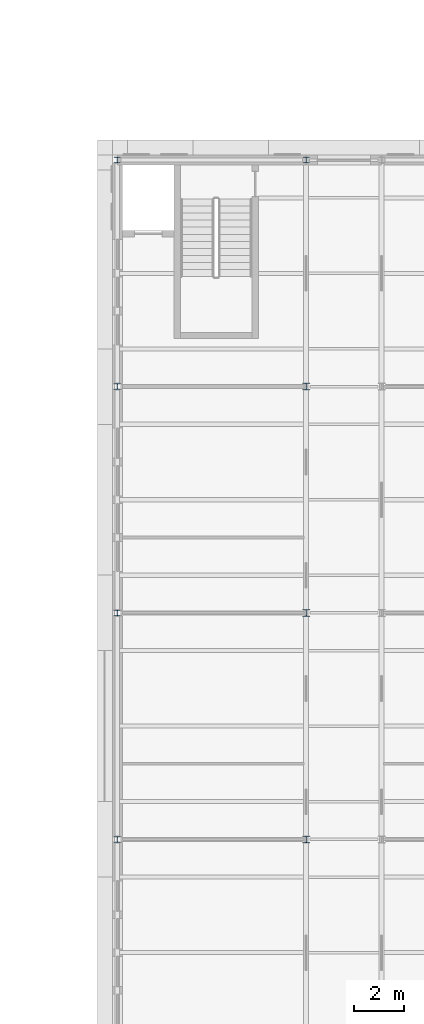
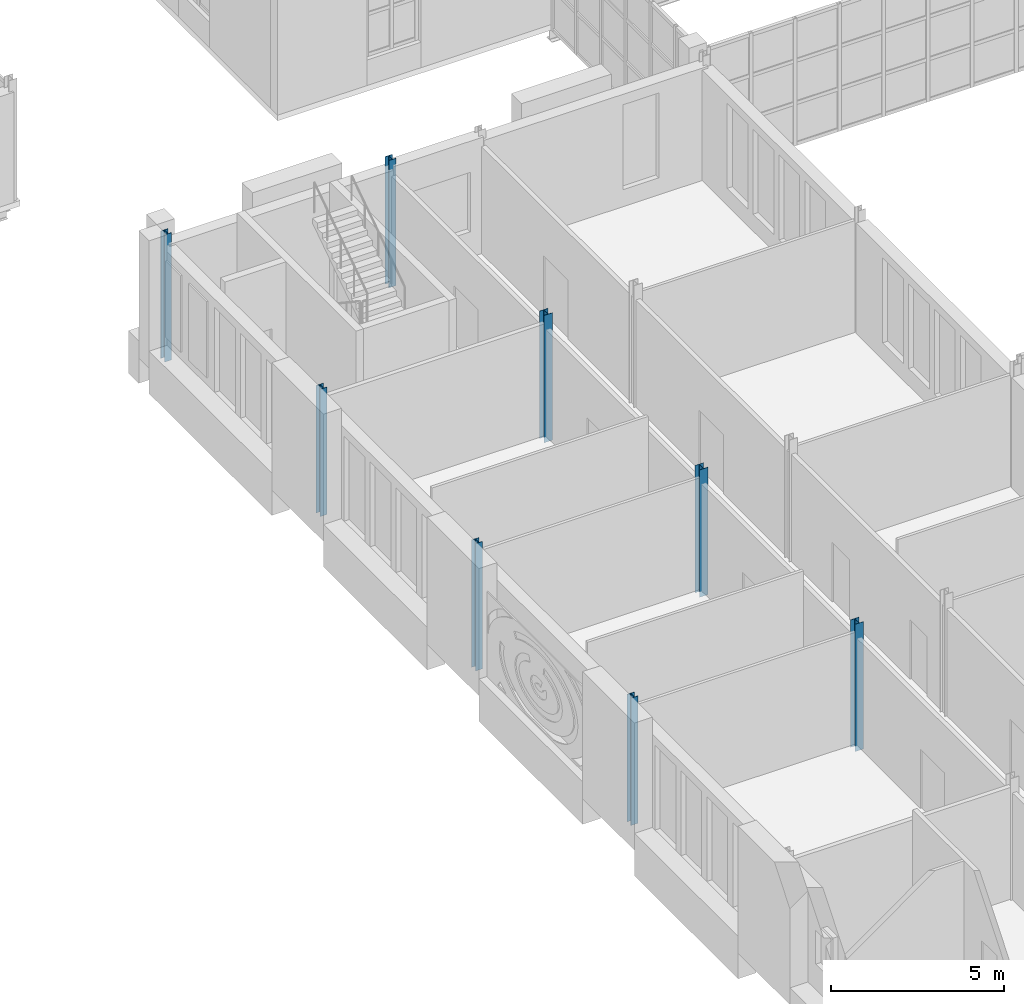
# One storey, part 4 of 131: 8 columns.
"""IFC4 building model written with IfcOpenShell, lengths in metres."""

from ifc_helpers import new_model, si_unit, direction, frame, origin, origin_2d, place, context, subcontext, project, spatial, i_section, extrude, material, material_profile, profile_set, type_object, element, save


model = new_model("IFC4")

# Units and contexts
model_context = context("Model", 3, precision=1e-05, world=origin(), true_north=direction((0.0, 1.0)))
body_context = subcontext(model_context, "Body", "Model", "MODEL_VIEW")
ifc_project = project(units=[si_unit("LENGTHUNIT", "METRE"), si_unit("AREAUNIT", "SQUARE_METRE"), si_unit("VOLUMEUNIT", "CUBIC_METRE"), si_unit("PLANEANGLEUNIT", "RADIAN"), si_unit("MASSUNIT", "GRAM", prefix="KILO")], contexts=[model_context])

# Site, building, storey
site_placement = place(None, origin())
site = spatial("IfcSite", under=ifc_project, at=site_placement, CompositionType="ELEMENT")
building_placement = place(site_placement, origin())
building = spatial("IfcBuilding", under=site, at=building_placement, Name="Golden Quay Civic Hall", CompositionType="ELEMENT")
storey_placement = place(building_placement, frame((0.0, 0.0, 9.89990234375)))
storey = spatial("IfcBuildingStorey", under=building, at=storey_placement, Name="L02", CompositionType="ELEMENT", Elevation=9.89990234375)

# Columns
ifc_material_1 = material(Name="Steel S355", Category="steel")
ifc_material_profile_1 = material_profile(ifc_material_1, i_section(OverallWidth=0.239990234375, OverallDepth=0.22998046875, WebThickness=0.007568359375, FlangeThickness=0.011962890625, FilletRadius=0.02099609375, at=origin_2d()), Name="HEA 240")
ifc_profile_set_1 = profile_set([ifc_material_profile_1], Name="Steel S355")
column_type_1 = type_object("IfcColumnType", Name="Steel column HEA 240", PredefinedType="COLUMN", material=ifc_profile_set_1)
for number, where, z_axis, x_axis, name in (
    (1, (54.0, 27.0, -0.199951171875), (0.0, 0.0, 1.0), (1.0, 0.0, 0.0), "Column 54/27 L02"),
    (2, (54.0, 36.0, -0.199951171875), (0.0, 0.0, 1.0), (1.0, 0.0, 0.0), "Column 54/36 L02"),
    (3, (54.0, 45.0, -0.199951171875), (0.0, 0.0, 1.0), (1.0, 0.0, 0.0), "Column 54/45 L02"),
    (4, (54.0, 54.0, -0.199951171875), (0.0, 0.0, 1.0), (1.0, 0.0, 0.0), "Column 54/54 L02"),
    (5, (61.5, 54.0, -0.199951171875), (0.0, 0.0, 1.0), (1.0, 0.0, 0.0), "Column 61.5/54 L02"),
):
    element("IfcColumn", number, at=place(storey_placement, frame(where, z_axis=z_axis, x_axis=x_axis)), inside=storey, type_object=column_type_1, Name=name, PredefinedType="COLUMN", context=body_context, shape_type="SweptSolid", body=[
        extrude(i_section(OverallWidth=0.239990234375, OverallDepth=0.22998046875, WebThickness=0.007568359375, FlangeThickness=0.011962890625, FilletRadius=0.02099609375, at=origin_2d()), origin(), (0.0, 0.0, 1.0), 4.5),
    ])
ifc_material_2 = material(Name="Steel S355", Category="steel")
ifc_material_profile_2 = material_profile(ifc_material_2, i_section(OverallWidth=0.280029296875, OverallDepth=0.27001953125, WebThickness=0.008056640625, FlangeThickness=0.012939453125, FilletRadius=0.02392578125, at=origin_2d()), Name="HEA 280")
ifc_profile_set_2 = profile_set([ifc_material_profile_2], Name="Steel S355")
column_type_2 = type_object("IfcColumnType", Name="Steel column HEA 280", PredefinedType="COLUMN", material=ifc_profile_set_2)
for number, where, z_axis, x_axis, name in (
    (6, (61.5, 27.0, -0.199951171875), (0.0, 0.0, 1.0), (1.0, 0.0, 0.0), "Column 61.5/27 L02"),
    (7, (61.5, 36.0, -0.199951171875), (0.0, 0.0, 1.0), (1.0, 0.0, 0.0), "Column 61.5/36 L02"),
    (8, (61.5, 45.0, -0.199951171875), (0.0, 0.0, 1.0), (1.0, 0.0, 0.0), "Column 61.5/45 L02"),
):
    element("IfcColumn", number, at=place(storey_placement, frame(where, z_axis=z_axis, x_axis=x_axis)), inside=storey, type_object=column_type_2, Name=name, PredefinedType="COLUMN", context=body_context, shape_type="SweptSolid", body=[
        extrude(i_section(OverallWidth=0.280029296875, OverallDepth=0.27001953125, WebThickness=0.008056640625, FlangeThickness=0.012939453125, FilletRadius=0.02392578125, at=origin_2d()), origin(), (0.0, 0.0, 1.0), 4.5),
    ])

save(model, "model.ifc")
